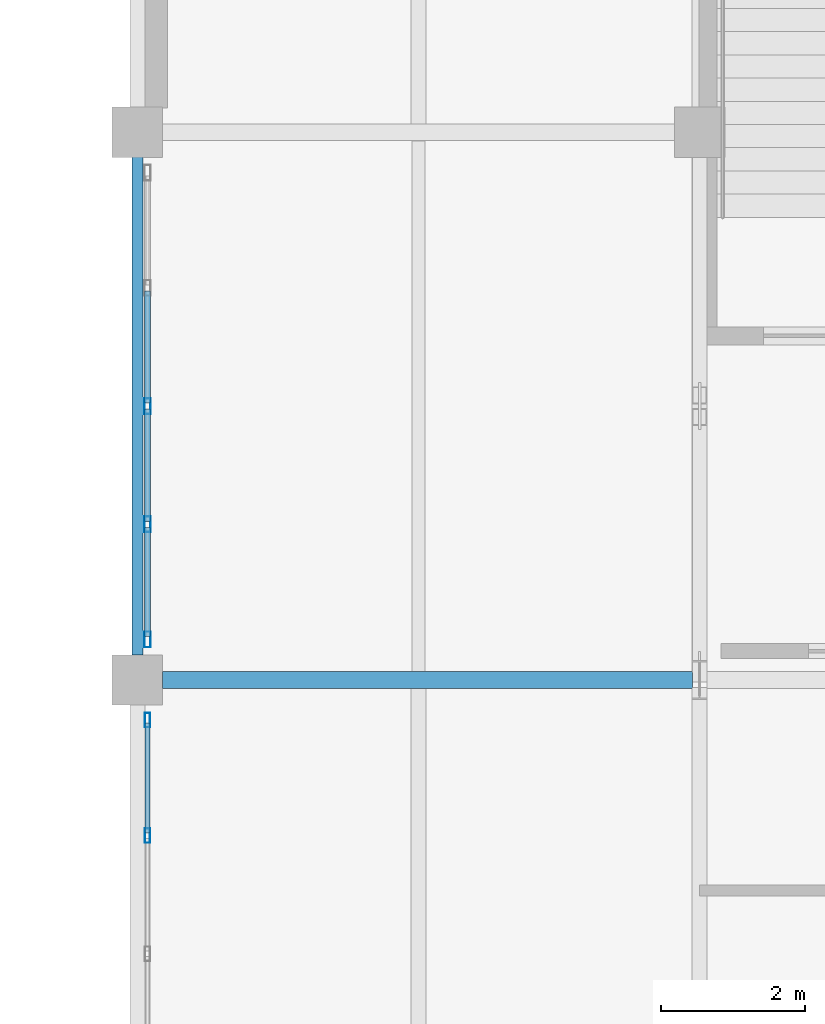
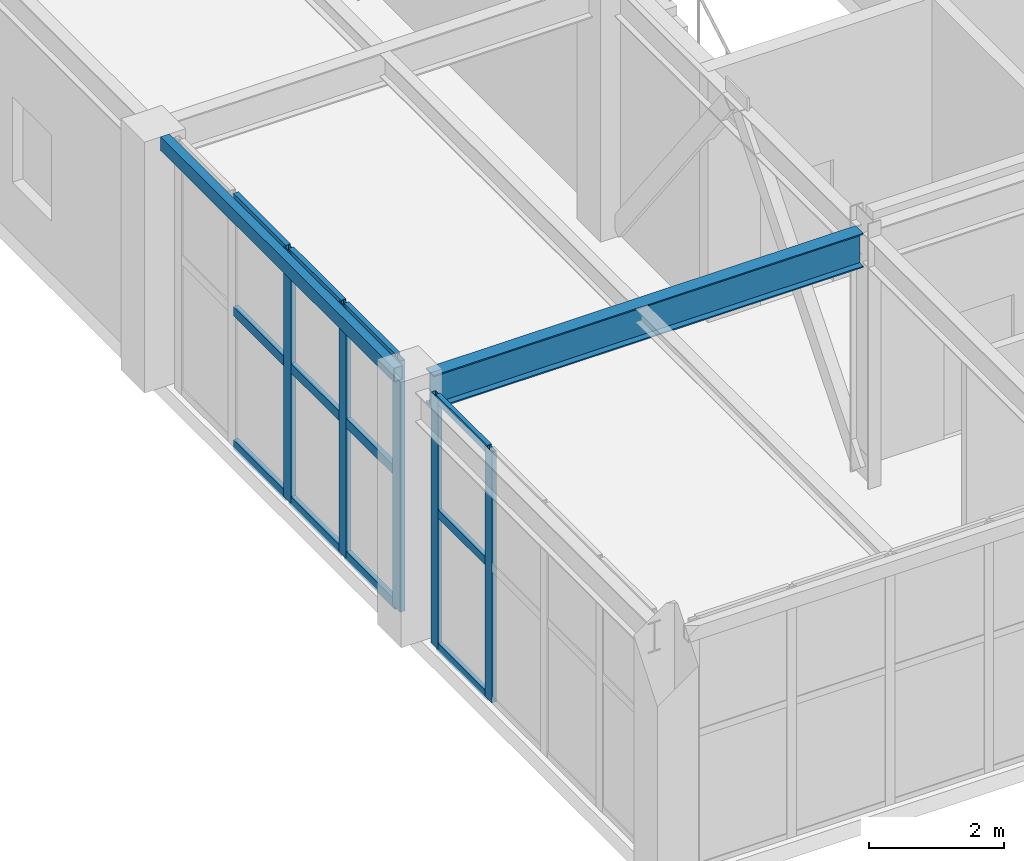
# One storey, part 44 of 72: 17 members, 2 beams, 2 elements without a shape of their own.
"""IFC4 building model written with IfcOpenShell, lengths in metres."""

import ifcopenshell
import ifcopenshell.guid

model = None  # the IFC model being written
_history = None  # IfcOwnerHistory: only IFC2X3 demands one
_inside = {}  # id of a spatial element -> (the spatial element, [elements in it])
_under = {}  # id of a project, library or spatial element -> (it, [spatial elements below it])
_declared = {}  # id of a project -> (the project, [libraries it declares])
_typed = {}  # id of a type object -> (the type object, [elements of that type])
_made_of = {}  # id of a material, layer set ... -> (it, [elements and type objects made of it])


def new_model(schema):
    """Start an empty IFC model of exactly this schema.

    Asked for "IFC4X3", IfcOpenShell would pick the latest addendum, in which some entities
    have other attributes; the version numbers below select the first issue.
    IFC2X3 requires an IfcOwnerHistory on every rooted entity: one is made here for all.
    """
    global model, _history
    if schema == "IFC4X3":
        model = ifcopenshell.file(schema_version=(4, 3, 0, 0))
    else:
        model = ifcopenshell.file(schema=schema)
    _inside.clear()
    _under.clear()
    _declared.clear()
    _typed.clear()
    _made_of.clear()
    _history = None
    if model.schema == "IFC2X3":
        org = make("IfcOrganization", Name="unknown")
        user = make(
            "IfcPersonAndOrganization",
            ThePerson=make("IfcPerson", FamilyName="unknown"),
            TheOrganization=org,
        )
        app = make(
            "IfcApplication",
            ApplicationDeveloper=org,
            Version="unknown",
            ApplicationFullName="unknown",
            ApplicationIdentifier="unknown",
        )
        _history = make(
            "IfcOwnerHistory",
            OwningUser=user,
            OwningApplication=app,
            ChangeAction="ADDED",
            CreationDate=0,
        )
    return model


def make(cls, **values):
    """One entity of the class cls with the attributes given. An attribute that is None is left unset."""
    return model.create_entity(
        cls, **{name: value for name, value in values.items() if value is not None}
    )


def rooted(cls, **values):
    """An entity with a GlobalId (a new one), such as an element, a storey or a relation."""
    return make(cls, GlobalId=ifcopenshell.guid.new(), OwnerHistory=_history, **values)


def si_unit(unit_type, name, prefix=None):
    """IfcSIUnit, for example si_unit("LENGTHUNIT", "METRE", prefix="MILLI")."""
    return make("IfcSIUnit", UnitType=unit_type, Prefix=prefix, Name=name)


def assignment(units):
    """IfcUnitAssignment: the units of a project."""
    return None if units is None else make("IfcUnitAssignment", Units=units)


def point(xyz):
    """IfcCartesianPoint."""
    return None if xyz is None else make("IfcCartesianPoint", Coordinates=xyz)


def direction(xyz):
    """IfcDirection."""
    return None if xyz is None else make("IfcDirection", DirectionRatios=xyz)


def frame(location, z_axis=None, x_axis=None):
    """IfcAxis2Placement3D, a coordinate frame: its origin and axes. An axis left out is left unset."""
    return make(
        "IfcAxis2Placement3D",
        Location=point(location),
        Axis=direction(z_axis),
        RefDirection=direction(x_axis),
    )


def frame_2d(location, x_axis=None):
    """IfcAxis2Placement2D, a coordinate frame in the plane: its origin and x axis."""
    return make(
        "IfcAxis2Placement2D", Location=point(location), RefDirection=direction(x_axis)
    )


def origin():
    """The frame at (0, 0, 0) with its axes left unset."""
    return frame((0.0, 0.0, 0.0))


def origin_2d():
    """The frame at (0, 0) in the plane with its x axis left unset."""
    return frame_2d((0.0, 0.0))


def place(relative_to, where):
    """IfcLocalPlacement: puts the frame where relative to a parent placement (None: the world)."""
    return make(
        "IfcLocalPlacement", PlacementRelTo=relative_to, RelativePlacement=where
    )


def context(
    kind, dimensions, precision=None, world=None, true_north=None, identifier=None
):
    """IfcGeometricRepresentationContext, for example the 3D "Model" context."""
    return make(
        "IfcGeometricRepresentationContext",
        ContextIdentifier=identifier,
        ContextType=kind,
        CoordinateSpaceDimension=dimensions,
        Precision=precision,
        WorldCoordinateSystem=world,
        TrueNorth=true_north,
    )


def subcontext(parent, identifier, kind, view, scale=None):
    """IfcGeometricRepresentationSubContext, for example "Body" below "Model"."""
    return make(
        "IfcGeometricRepresentationSubContext",
        ContextIdentifier=identifier,
        ContextType=kind,
        ParentContext=parent,
        TargetScale=scale,
        TargetView=view,
    )


def project(units=None, contexts=None):
    """IfcProject with its units and contexts."""
    return rooted(
        "IfcProject",
        Name="project",
        RepresentationContexts=contexts,
        UnitsInContext=assignment(units),
    )


def spatial(cls, under=None, at=None, **own):
    """A site, building, storey or space (cls), placed at a placement, below another one or the project."""
    s = rooted(cls, ObjectPlacement=at, **own)
    if under is not None:
        _under.setdefault(under.id(), (under, []))[1].append(s)
    return s


def profile(cls, at=None, kind="AREA", **sizes):
    """A parametric profile (cls). Its sizes go by their IFC names, for example OverallWidth=200.0."""
    return make(cls, ProfileType=kind, Position=at, **sizes)


def hollow_rectangle(**sizes):
    """IfcRectangleHollowProfileDef."""
    return profile("IfcRectangleHollowProfileDef", **sizes)


def i_section(**sizes):
    """IfcIShapeProfileDef."""
    return profile("IfcIShapeProfileDef", **sizes)


def extrude(swept, where, along, depth):
    """IfcExtrudedAreaSolid: the profile swept, set in the frame where, extruded along a direction by depth."""
    return make(
        "IfcExtrudedAreaSolid",
        SweptArea=swept,
        Position=where,
        ExtrudedDirection=direction(along),
        Depth=depth,
    )


def shape(context_of_items, identifier, shape_type, items):
    """IfcShapeRepresentation: the items that make up one representation, for example the "Body"."""
    return make(
        "IfcShapeRepresentation",
        ContextOfItems=context_of_items,
        RepresentationIdentifier=identifier,
        RepresentationType=shape_type,
        Items=items,
    )


def material(Name=None, Category=None):
    """IfcMaterial."""
    return make("IfcMaterial", Name=Name, Category=Category)


def layer(
    of_material, thickness, ventilated=None, Name=None, Category=None, Priority=None
):
    """IfcMaterialLayer: one layer of a wall or slab, of a material (None: an air gap)."""
    return make(
        "IfcMaterialLayer",
        Material=of_material,
        LayerThickness=thickness,
        IsVentilated=ventilated,
        Name=Name,
        Category=Category,
        Priority=Priority,
    )


def layer_set(layers, Name=None):
    """IfcMaterialLayerSet."""
    return make("IfcMaterialLayerSet", MaterialLayers=layers, LayerSetName=Name)


def material_profile(
    of_material, cross_section, Name=None, Category=None, Priority=None
):
    """IfcMaterialProfile: a cross section and its material."""
    return make(
        "IfcMaterialProfile",
        Name=Name,
        Material=of_material,
        Profile=cross_section,
        Priority=Priority,
        Category=Category,
    )


def profile_set(profiles, Name=None, composite=None):
    """IfcMaterialProfileSet."""
    return make(
        "IfcMaterialProfileSet",
        Name=Name,
        MaterialProfiles=profiles,
        CompositeProfile=composite,
    )


def made_of(thing, what):
    """Note that an element or type object is made of a material, layer set ...; save() writes the relation."""
    if what is not None:
        _made_of.setdefault(what.id(), (what, []))[1].append(thing)
    return thing


def type_object(cls, material=None, **own):
    """A type object (cls), such as IfcWallType, which elements share."""
    return made_of(rooted(cls, **own), material)


def element(
    cls,
    number,
    at=None,
    inside=None,
    cuts=None,
    type_object=None,
    material=None,
    context=None,
    identifier="Body",
    shape_type=None,
    held_by="IfcProductDefinitionShape",
    body=None,
    shapes=None,
    **own,
):
    """One element of the class cls, such as IfcWall. Its Tag is "e" and its number.

    at: its placement. inside: the storey or other place that contains it. cuts: it is an
    opening in that element (IfcRelVoidsElement). A single representation is given by context,
    identifier, shape_type and body (its items); several are given by shapes. held_by: the class
    of the entity that holds the representations. save() writes the other relations.
    """
    e = rooted(cls, Tag="e%d" % number, ObjectPlacement=at, **own)
    if body is not None:
        shapes = [shape(context, identifier, shape_type, body)]
    if shapes is not None:
        e.Representation = make(held_by, Representations=shapes)
    if inside is not None:
        _inside.setdefault(inside.id(), (inside, []))[1].append(e)
    if cuts is not None:
        rooted(
            "IfcRelVoidsElement", RelatingBuildingElement=cuts, RelatedOpeningElement=e
        )
    if type_object is not None:
        _typed.setdefault(type_object.id(), (type_object, []))[1].append(e)
    return made_of(e, material)


def aggregate(whole, parts):
    """IfcRelAggregates: a whole, such as a stair, and the parts it consists of."""
    return rooted("IfcRelAggregates", RelatingObject=whole, RelatedObjects=parts)


def save(model, path):
    """Write the relations noted so far, then the file.

    IfcRelAggregates (storeys below a building ...), IfcRelContainedInSpatialStructure (elements
    in a storey), IfcRelDefinesByType, IfcRelAssociatesMaterial and IfcRelDeclares: one each for
    every whole, place, type object, material and project.
    """
    for whole, parts in _under.values():
        aggregate(whole, parts)
    for where, things in _inside.values():
        rooted(
            "IfcRelContainedInSpatialStructure",
            RelatedElements=things,
            RelatingStructure=where,
        )
    for kind, things in _typed.values():
        rooted("IfcRelDefinesByType", RelatedObjects=things, RelatingType=kind)
    for what, things in _made_of.values():
        rooted("IfcRelAssociatesMaterial", RelatedObjects=things, RelatingMaterial=what)
    for by, libraries in _declared.values():
        rooted("IfcRelDeclares", RelatingContext=by, RelatedDefinitions=libraries)
    model.write(path)


model = new_model("IFC4")

# Units and contexts
model_context = context("Model", 3, precision=1e-05, world=origin(), true_north=direction((0.0, 1.0)))
body_context = subcontext(model_context, "Body", "Model", "MODEL_VIEW")
ifc_project = project(units=[si_unit("LENGTHUNIT", "METRE"), si_unit("AREAUNIT", "SQUARE_METRE"), si_unit("VOLUMEUNIT", "CUBIC_METRE"), si_unit("PLANEANGLEUNIT", "RADIAN"), si_unit("MASSUNIT", "GRAM", prefix="KILO")], contexts=[model_context])

# Site, building, storey
site_placement = place(None, origin())
site = spatial("IfcSite", under=ifc_project, at=site_placement, CompositionType="ELEMENT")
building_placement = place(site_placement, origin())
building = spatial("IfcBuilding", under=site, at=building_placement, Name="Xicomal Pleat Aquarium", CompositionType="ELEMENT")
storey_placement = place(building_placement, frame((0.0, 0.0, 10.5)))
storey = spatial("IfcBuildingStorey", under=building, at=storey_placement, Name="L03", CompositionType="ELEMENT", Elevation=10.5)

# Beams
ifc_material_1 = material(Name="Structural steel A992 Gr 50", Category="steel")
ifc_material_profile_1 = material_profile(ifc_material_1, i_section(OverallWidth=0.22998046875, OverallDepth=0.616943359375, WebThickness=0.01318359375, FlangeThickness=0.022216796875, at=origin_2d()), Name="IR 610x140")
ifc_profile_set_1 = profile_set([ifc_material_profile_1], Name="Structural steel A992 Gr 50")
beam_type_1 = type_object("IfcBeamType", Name="BM-STL-IR610", PredefinedType="BEAM", material=ifc_profile_set_1)
beam_1_placement = place(storey_placement, frame((134.14501953125, 83.60009765625, 4.2314453125), z_axis=(1.0, 0.0, 0.0), x_axis=(0.0, 1.0, 0.0)))
element("IfcBeam", 1, at=beam_1_placement, inside=storey, type_object=beam_type_1, Name="L03 framing beam FGX-L03-17-18-M", PredefinedType="BEAM", context=body_context, shape_type="SweptSolid", body=[
    extrude(i_section(OverallWidth=0.22998046875, OverallDepth=0.616943359375, WebThickness=0.01318359375, FlangeThickness=0.022216796875, at=origin_2d()), origin(), (0.0, 0.0, 1.0), 7.35400390625),
])
ifc_material_2 = material(Name="Structural steel A500 Gr C", Category="steel")
ifc_material_profile_2 = material_profile(ifc_material_2, hollow_rectangle(XDim=0.14990234375, YDim=0.25, WallThickness=0.010009765625, at=origin_2d()), Name="OR 250x150x10")
ifc_profile_set_2 = profile_set([ifc_material_profile_2], Name="Structural steel A500 Gr C")
beam_type_2 = type_object("IfcBeamType", Name="BM-STL-OR250", PredefinedType="SPANDREL", material=ifc_profile_set_2)
beam_2_placement = place(storey_placement, frame((133.800048828125, 83.945068359375, 4.4150390625), z_axis=(0.0, 1.0, 0.0), x_axis=(-1.0, 0.0, 0.0)))
element("IfcBeam", 2, at=beam_2_placement, inside=storey, type_object=beam_type_2, Name="L03 framing beam FGY-L03-17-M-N", PredefinedType="SPANDREL", context=body_context, shape_type="SweptSolid", body=[
    extrude(hollow_rectangle(XDim=0.14990234375, YDim=0.25, WallThickness=0.010009765625, at=origin_2d()), origin(), (0.0, 0.0, 1.0), 6.909912109375),
])

# Curtain wall, members
ifc_material_3 = material(Name="Bronze anodized aluminium 6063-T6", Category="aluminium")
ifc_layer_1 = layer(ifc_material_3, 0.159912109375)
ifc_layer_set_1 = layer_set([ifc_layer_1], Name="Bronze anodized aluminium 6063-T6")
curtain_wall_type_1 = type_object("IfcCurtainWallType", Name="CW-SYS-08", PredefinedType="NOTDEFINED", material=ifc_layer_set_1)
curtain_wall_1_placement = place(storey_placement, origin())
curtain_wall_1 = element("IfcCurtainWall", 3, at=curtain_wall_1_placement, inside=storey, type_object=curtain_wall_type_1, Name="L03 unitised curtain wall CW-L03-154", PredefinedType="NOTDEFINED")
ifc_material_4 = material(Name="Bronze anodized aluminium 6063-T6", Category="aluminium")
ifc_material_profile_3 = material_profile(ifc_material_4, hollow_rectangle(XDim=0.074951171875, YDim=0.199951171875, WallThickness=0.00439453125, at=origin_2d()), Name="ALU MULL 75x200")
ifc_profile_set_3 = profile_set([ifc_material_profile_3], Name="Bronze anodized aluminium 6063-T6")
member_type_1 = type_object("IfcMemberType", Name="CWM-75x200", PredefinedType="MULLION", material=ifc_profile_set_3)
member_1_placement = place(storey_placement, frame((133.93994140625, 81.43994140625, 0.0), z_axis=(0.0, 0.0, 1.0), x_axis=(-1.0, 0.0, 0.0)))
member_1 = element("IfcMember", 4, at=member_1_placement, type_object=member_type_1, Name="CW-08 mullion 4", PredefinedType="MULLION", context=body_context, shape_type="SweptSolid", body=[
    extrude(hollow_rectangle(XDim=0.074951171875, YDim=0.199951171875, WallThickness=0.00439453125, at=origin_2d()), origin(), (0.0, 0.0, 1.0), 4.5400390625),
])
member_2_placement = place(storey_placement, frame((133.93994140625, 83.04248046875, 0.0), z_axis=(0.0, 0.0, 1.0), x_axis=(-1.0, 0.0, 0.0)))
member_2 = element("IfcMember", 5, at=member_2_placement, type_object=member_type_1, Name="CW-08 mullion 5", PredefinedType="MULLION", context=body_context, shape_type="SweptSolid", body=[
    extrude(hollow_rectangle(XDim=0.074951171875, YDim=0.199951171875, WallThickness=0.00439453125, at=origin_2d()), origin(), (0.0, 0.0, 1.0), 4.5400390625),
])

ifc_material_5 = material(Name="Bronze anodized aluminium 6063-T6", Category="aluminium")
ifc_layer_2 = layer(ifc_material_5, 0.159912109375)
ifc_layer_set_2 = layer_set([ifc_layer_2], Name="Bronze anodized aluminium 6063-T6")
curtain_wall_type_2 = type_object("IfcCurtainWallType", Name="CW-SYS-03", PredefinedType="NOTDEFINED", material=ifc_layer_set_2)
curtain_wall_2_placement = place(storey_placement, origin())
curtain_wall_2 = element("IfcCurtainWall", 6, at=curtain_wall_2_placement, inside=storey, type_object=curtain_wall_type_2, Name="L03 unitised curtain wall CW-L03-155", PredefinedType="NOTDEFINED")
ifc_material_6 = material(Name="Bronze anodized aluminium 6063-T6", Category="aluminium")
ifc_material_profile_4 = material_profile(ifc_material_6, hollow_rectangle(XDim=0.0849609375, YDim=0.219970703125, WallThickness=0.0048828125, at=origin_2d()), Name="ALU MULL 85x220")
ifc_profile_set_4 = profile_set([ifc_material_profile_4], Name="Bronze anodized aluminium 6063-T6")
member_type_2 = type_object("IfcMemberType", Name="CWM-85x220", PredefinedType="MULLION", material=ifc_profile_set_4)
member_3_placement = place(storey_placement, frame((133.93994140625, 84.16259765625, 0.0), z_axis=(0.0, 0.0, 1.0), x_axis=(-1.0, 0.0, 0.0)))
member_3 = element("IfcMember", 7, at=member_3_placement, type_object=member_type_2, Name="CW-03 mullion 1", PredefinedType="MULLION", context=body_context, shape_type="SweptSolid", body=[
    extrude(hollow_rectangle(XDim=0.0849609375, YDim=0.219970703125, WallThickness=0.0048828125, at=origin_2d()), origin(), (0.0, 0.0, 1.0), 4.5400390625),
])
member_4_placement = place(storey_placement, frame((133.93994140625, 85.760009765625, 0.0), z_axis=(0.0, 0.0, 1.0), x_axis=(-1.0, 0.0, 0.0)))
member_4 = element("IfcMember", 8, at=member_4_placement, type_object=member_type_2, Name="CW-03 mullion 2", PredefinedType="MULLION", context=body_context, shape_type="SweptSolid", body=[
    extrude(hollow_rectangle(XDim=0.0849609375, YDim=0.219970703125, WallThickness=0.0048828125, at=origin_2d()), origin(), (0.0, 0.0, 1.0), 4.5400390625),
])
member_5_placement = place(storey_placement, frame((133.93994140625, 87.39990234375, 0.0), z_axis=(0.0, 0.0, 1.0), x_axis=(-1.0, 0.0, 0.0)))
member_5 = element("IfcMember", 9, at=member_5_placement, type_object=member_type_2, Name="CW-03 mullion 3", PredefinedType="MULLION", context=body_context, shape_type="SweptSolid", body=[
    extrude(hollow_rectangle(XDim=0.0849609375, YDim=0.219970703125, WallThickness=0.0048828125, at=origin_2d()), origin(), (0.0, 0.0, 1.0), 4.5400390625),
])

# Member
ifc_material_7 = material(Name="Bronze anodized aluminium 6063-T6", Category="aluminium")
ifc_material_profile_5 = material_profile(ifc_material_7, hollow_rectangle(XDim=0.074951171875, YDim=0.14990234375, WallThickness=0.00439453125, at=origin_2d()), Name="ALU TRAN 75x150")
ifc_profile_set_5 = profile_set([ifc_material_profile_5], Name="Bronze anodized aluminium 6063-T6")
member_type_3 = type_object("IfcMemberType", Name="CWT-75x150", PredefinedType="USERDEFINED", material=ifc_profile_set_5)
member_6_placement = place(storey_placement, frame((133.93994140625, 81.4775390625, 0.03759765625), z_axis=(0.0, 1.0, 0.0), x_axis=(-1.0, 0.0, 0.0)))
member_6 = element("IfcMember", 10, at=member_6_placement, type_object=member_type_3, Name="CW-08 transom 4.1", ObjectType="TRANSOM", PredefinedType="USERDEFINED", context=body_context, shape_type="SweptSolid", body=[
    extrude(hollow_rectangle(XDim=0.074951171875, YDim=0.14990234375, WallThickness=0.00439453125, at=origin_2d()), origin(), (0.0, 0.0, 1.0), 1.52734375),
])

member_7_placement = place(storey_placement, frame((133.93994140625, 81.4775390625, 2.451904296875), z_axis=(0.0, 1.0, 0.0), x_axis=(-1.0, 0.0, 0.0)))
member_7 = element("IfcMember", 11, at=member_7_placement, type_object=member_type_3, Name="CW-08 transom 4.2", ObjectType="TRANSOM", PredefinedType="USERDEFINED", context=body_context, shape_type="SweptSolid", body=[
    extrude(hollow_rectangle(XDim=0.074951171875, YDim=0.14990234375, WallThickness=0.00439453125, at=origin_2d()), origin(), (0.0, 0.0, 1.0), 1.52734375),
])

member_8_placement = place(storey_placement, frame((133.93994140625, 81.4775390625, 4.50244140625), z_axis=(0.0, 1.0, 0.0), x_axis=(-1.0, 0.0, 0.0)))
member_8 = element("IfcMember", 12, at=member_8_placement, type_object=member_type_3, Name="CW-08 transom 4.3", ObjectType="TRANSOM", PredefinedType="USERDEFINED", context=body_context, shape_type="SweptSolid", body=[
    extrude(hollow_rectangle(XDim=0.074951171875, YDim=0.14990234375, WallThickness=0.00439453125, at=origin_2d()), origin(), (0.0, 0.0, 1.0), 1.52734375),
])

aggregate(curtain_wall_1, [member_1, member_2, member_6, member_7, member_8])

ifc_material_8 = material(Name="Bronze anodized aluminium 6063-T6", Category="aluminium")
ifc_material_profile_6 = material_profile(ifc_material_8, hollow_rectangle(XDim=0.0849609375, YDim=0.169921875, WallThickness=0.0048828125, at=origin_2d()), Name="ALU TRAN 85x170")
ifc_profile_set_6 = profile_set([ifc_material_profile_6], Name="Bronze anodized aluminium 6063-T6")
member_type_4 = type_object("IfcMemberType", Name="CWT-85x170", PredefinedType="USERDEFINED", material=ifc_profile_set_6)
member_9_placement = place(storey_placement, frame((133.93994140625, 84.205078125, 0.04248046875), z_axis=(0.0, 1.0, 0.0), x_axis=(-1.0, 0.0, 0.0)))
member_9 = element("IfcMember", 13, at=member_9_placement, type_object=member_type_4, Name="CW-03 transom 1.1", ObjectType="TRANSOM", PredefinedType="USERDEFINED", context=body_context, shape_type="SweptSolid", body=[
    extrude(hollow_rectangle(XDim=0.0849609375, YDim=0.169921875, WallThickness=0.0048828125, at=origin_2d()), origin(), (0.0, 0.0, 1.0), 1.512451171875),
])

member_10_placement = place(storey_placement, frame((133.93994140625, 84.205078125, 2.451904296875), z_axis=(0.0, 1.0, 0.0), x_axis=(-1.0, 0.0, 0.0)))
member_10 = element("IfcMember", 14, at=member_10_placement, type_object=member_type_4, Name="CW-03 transom 1.2", ObjectType="TRANSOM", PredefinedType="USERDEFINED", context=body_context, shape_type="SweptSolid", body=[
    extrude(hollow_rectangle(XDim=0.0849609375, YDim=0.169921875, WallThickness=0.0048828125, at=origin_2d()), origin(), (0.0, 0.0, 1.0), 1.512451171875),
])

member_11_placement = place(storey_placement, frame((133.93994140625, 84.205078125, 4.49755859375), z_axis=(0.0, 1.0, 0.0), x_axis=(-1.0, 0.0, 0.0)))
member_11 = element("IfcMember", 15, at=member_11_placement, type_object=member_type_4, Name="CW-03 transom 1.3", ObjectType="TRANSOM", PredefinedType="USERDEFINED", context=body_context, shape_type="SweptSolid", body=[
    extrude(hollow_rectangle(XDim=0.0849609375, YDim=0.169921875, WallThickness=0.0048828125, at=origin_2d()), origin(), (0.0, 0.0, 1.0), 1.512451171875),
])

member_12_placement = place(storey_placement, frame((133.93994140625, 85.802490234375, 0.04248046875), z_axis=(0.0, 1.0, 0.0), x_axis=(-1.0, 0.0, 0.0)))
member_12 = element("IfcMember", 16, at=member_12_placement, type_object=member_type_4, Name="CW-03 transom 2.1", ObjectType="TRANSOM", PredefinedType="USERDEFINED", context=body_context, shape_type="SweptSolid", body=[
    extrude(hollow_rectangle(XDim=0.0849609375, YDim=0.169921875, WallThickness=0.0048828125, at=origin_2d()), origin(), (0.0, 0.0, 1.0), 1.554931640625),
])

member_13_placement = place(storey_placement, frame((133.93994140625, 85.802490234375, 2.451904296875), z_axis=(0.0, 1.0, 0.0), x_axis=(-1.0, 0.0, 0.0)))
member_13 = element("IfcMember", 17, at=member_13_placement, type_object=member_type_4, Name="CW-03 transom 2.2", ObjectType="TRANSOM", PredefinedType="USERDEFINED", context=body_context, shape_type="SweptSolid", body=[
    extrude(hollow_rectangle(XDim=0.0849609375, YDim=0.169921875, WallThickness=0.0048828125, at=origin_2d()), origin(), (0.0, 0.0, 1.0), 1.554931640625),
])

member_14_placement = place(storey_placement, frame((133.93994140625, 85.802490234375, 4.49755859375), z_axis=(0.0, 1.0, 0.0), x_axis=(-1.0, 0.0, 0.0)))
member_14 = element("IfcMember", 18, at=member_14_placement, type_object=member_type_4, Name="CW-03 transom 2.3", ObjectType="TRANSOM", PredefinedType="USERDEFINED", context=body_context, shape_type="SweptSolid", body=[
    extrude(hollow_rectangle(XDim=0.0849609375, YDim=0.169921875, WallThickness=0.0048828125, at=origin_2d()), origin(), (0.0, 0.0, 1.0), 1.554931640625),
])

member_15_placement = place(storey_placement, frame((133.93994140625, 87.4423828125, 0.04248046875), z_axis=(0.0, 1.0, 0.0), x_axis=(-1.0, 0.0, 0.0)))
member_15 = element("IfcMember", 19, at=member_15_placement, type_object=member_type_4, Name="CW-03 transom 3.1", ObjectType="TRANSOM", PredefinedType="USERDEFINED", context=body_context, shape_type="SweptSolid", body=[
    extrude(hollow_rectangle(XDim=0.0849609375, YDim=0.169921875, WallThickness=0.0048828125, at=origin_2d()), origin(), (0.0, 0.0, 1.0), 1.55517578125),
])

member_16_placement = place(storey_placement, frame((133.93994140625, 87.4423828125, 2.451904296875), z_axis=(0.0, 1.0, 0.0), x_axis=(-1.0, 0.0, 0.0)))
member_16 = element("IfcMember", 20, at=member_16_placement, type_object=member_type_4, Name="CW-03 transom 3.2", ObjectType="TRANSOM", PredefinedType="USERDEFINED", context=body_context, shape_type="SweptSolid", body=[
    extrude(hollow_rectangle(XDim=0.0849609375, YDim=0.169921875, WallThickness=0.0048828125, at=origin_2d()), origin(), (0.0, 0.0, 1.0), 1.55517578125),
])

member_17_placement = place(storey_placement, frame((133.93994140625, 87.4423828125, 4.49755859375), z_axis=(0.0, 1.0, 0.0), x_axis=(-1.0, 0.0, 0.0)))
member_17 = element("IfcMember", 21, at=member_17_placement, type_object=member_type_4, Name="CW-03 transom 3.3", ObjectType="TRANSOM", PredefinedType="USERDEFINED", context=body_context, shape_type="SweptSolid", body=[
    extrude(hollow_rectangle(XDim=0.0849609375, YDim=0.169921875, WallThickness=0.0048828125, at=origin_2d()), origin(), (0.0, 0.0, 1.0), 1.55517578125),
])

aggregate(curtain_wall_2, [member_3, member_4, member_5, member_9, member_10, member_11, member_12, member_13, member_14, member_15, member_16, member_17])

save(model, "model.ifc")
